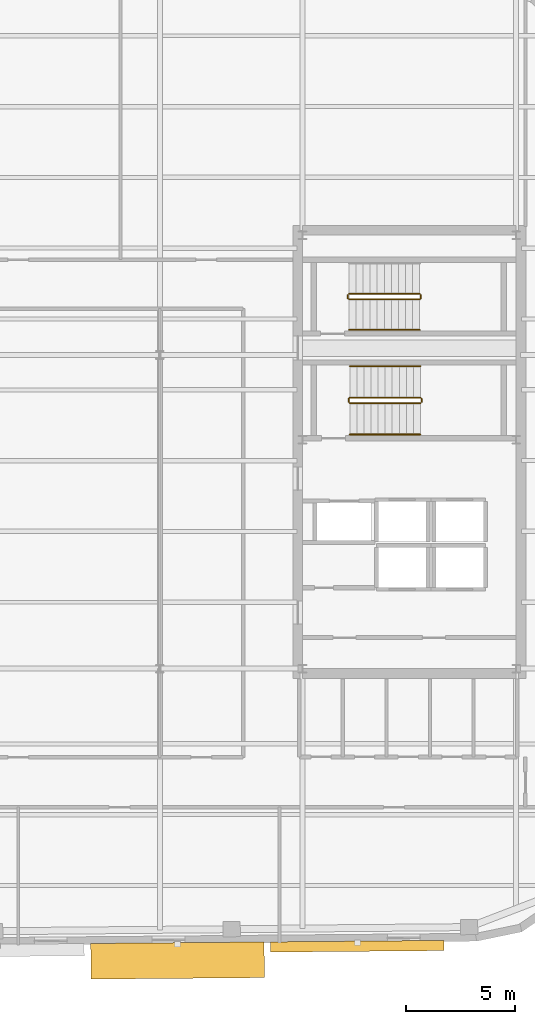
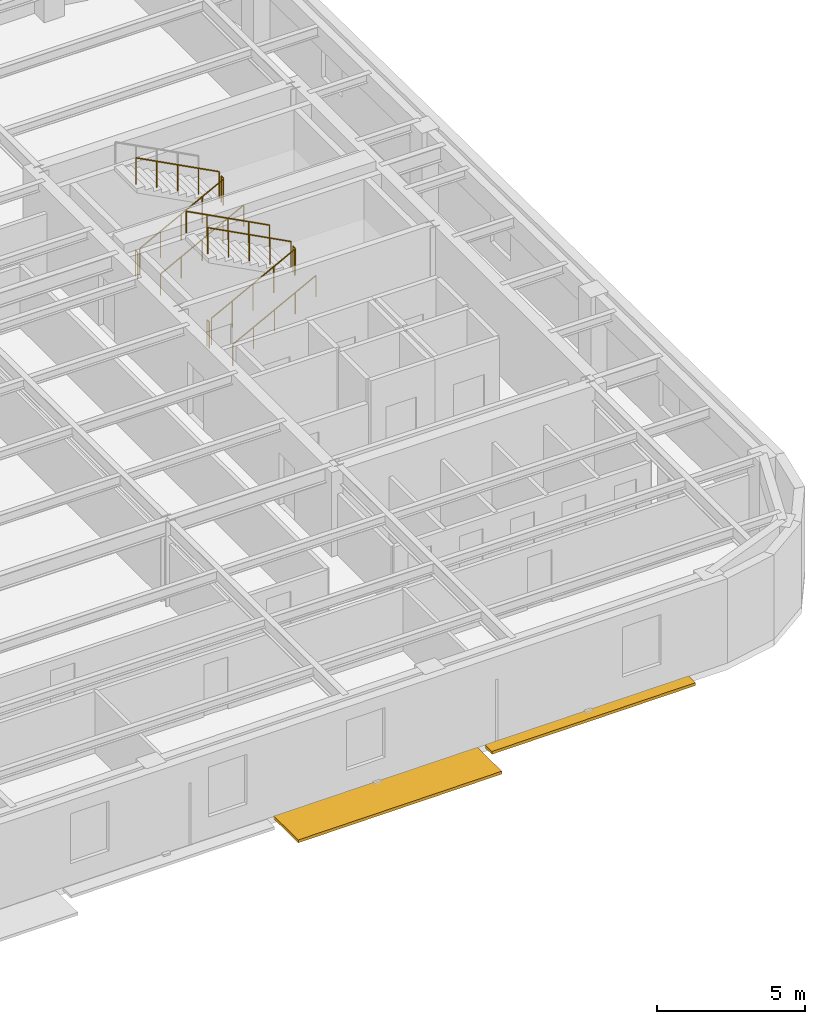
# One storey, part 12 of 13: 11 railings, 2 shading devices.
"""IFC4 building model written with IfcOpenShell, lengths in metres."""

from ifc_helpers import new_model, si_unit, direction, frame, origin, origin_2d, place, context, subcontext, project, spatial, rectangle, circle, extrude, material, type_object, element, save


model = new_model("IFC4")

# Units and contexts
model_context = context("Model", 3, precision=1e-05, world=origin(), true_north=direction((0.0, 1.0)))
body_context = subcontext(model_context, "Body", "Model", "MODEL_VIEW")
ifc_project = project(units=[si_unit("LENGTHUNIT", "METRE"), si_unit("AREAUNIT", "SQUARE_METRE"), si_unit("VOLUMEUNIT", "CUBIC_METRE"), si_unit("PLANEANGLEUNIT", "RADIAN"), si_unit("MASSUNIT", "GRAM", prefix="KILO")], contexts=[model_context])

# Site, building, storey
site_placement = place(None, origin())
site = spatial("IfcSite", under=ifc_project, at=site_placement, CompositionType="ELEMENT")
building_placement = place(site_placement, origin())
building = spatial("IfcBuilding", under=site, at=building_placement, Name="Kolvaren Arena Tower", CompositionType="ELEMENT")
storey_placement = place(building_placement, frame((0.0, 0.0, 278.64990234375)))
storey = spatial("IfcBuildingStorey", under=building, at=storey_placement, Name="L68", CompositionType="ELEMENT", Elevation=278.64990234375)

# Railings
ifc_material_1 = material(Name="Painted galvanized steel", Category="steel")
railing_type_1 = type_object("IfcRailingType", Name="GUARD-ST-110", PredefinedType="GUARDRAIL", material=ifc_material_1)
railing_1_placement = place(storey_placement, frame((52.719970703125, 31.639892578125, 0.170654296875)))
element("IfcRailing", 1, at=railing_1_placement, inside=storey, type_object=railing_type_1, Name="L68 ST-E1 stair guard 1", PredefinedType="GUARDRAIL", context=body_context, shape_type="SweptSolid", body=[
    extrude(circle(Radius=0.02392578125, at=origin_2d()), frame((0.0, 0.0, 1.076171875), z_axis=(0.885020909582, 0.0, 0.465551274945), x_axis=(0.0, 1.0, 0.0)), (0.0, 0.0, 1.0), 3.660888671875),
    extrude(circle(Radius=0.02099609375, at=origin_2d()), origin(), (0.0, 0.0, 1.0), 1.052001953125),
    extrude(circle(Radius=0.02099609375, at=origin_2d()), frame((0.81005859375, 0.0, 0.426025390625)), (0.0, 0.0, 1.0), 1.052001953125),
    extrude(circle(Radius=0.02099609375, at=origin_2d()), frame((1.6201171875, 0.0, 0.85205078125)), (0.0, 0.0, 1.0), 1.052001953125),
    extrude(circle(Radius=0.02099609375, at=origin_2d()), frame((2.429931640625, 0.0, 1.2783203125)), (0.0, 0.0, 1.0), 1.052001953125),
    extrude(circle(Radius=0.02099609375, at=origin_2d()), frame((3.239990234375, 0.0, 1.704345703125)), (0.0, 0.0, 1.0), 1.052001953125),
])
railing_2_placement = place(storey_placement, frame((56.010009765625, 31.68994140625, 1.875)))
element("IfcRailing", 2, at=railing_2_placement, inside=storey, type_object=railing_type_1, Name="L68 ST-E1 stair guard 2", PredefinedType="GUARDRAIL", context=body_context, shape_type="SweptSolid", body=[
    extrude(circle(Radius=0.02392578125, at=origin_2d()), frame((0.0, 0.0, 1.076171875), z_axis=(0.0, 1.0, 0.0), x_axis=(-1.0, 0.0, 0.0)), (0.0, 0.0, 1.0), 0.150146484375),
    extrude(circle(Radius=0.02099609375, at=origin_2d()), origin(), (0.0, 0.0, 1.0), 1.052001953125),
    extrude(circle(Radius=0.02099609375, at=origin_2d()), frame((0.0, 0.150146484375, 0.0)), (0.0, 0.0, 1.0), 1.052001953125),
])
railing_3_placement = place(storey_placement, frame((55.9599609375, 31.889892578125, 2.045654296875)))
element("IfcRailing", 3, at=railing_3_placement, inside=storey, type_object=railing_type_1, Name="L68 ST-E1 stair guard 3", PredefinedType="GUARDRAIL", context=body_context, shape_type="SweptSolid", body=[
    extrude(circle(Radius=0.02392578125, at=origin_2d()), frame((0.0, 0.0, 1.076171875), z_axis=(-0.885020909582, 0.0, 0.465551274945), x_axis=(0.0, -1.0, 0.0)), (0.0, 0.0, 1.0), 3.660888671875),
    extrude(circle(Radius=0.02099609375, at=origin_2d()), origin(), (0.0, 0.0, 1.0), 1.052001953125),
    extrude(circle(Radius=0.02099609375, at=origin_2d()), frame((-0.81005859375, 0.0, 0.426025390625)), (0.0, 0.0, 1.0), 1.052001953125),
    extrude(circle(Radius=0.02099609375, at=origin_2d()), frame((-1.6201171875, 0.0, 0.85205078125)), (0.0, 0.0, 1.0), 1.052001953125),
    extrude(circle(Radius=0.02099609375, at=origin_2d()), frame((-2.429931640625, 0.0, 1.2783203125)), (0.0, 0.0, 1.0), 1.052001953125),
    extrude(circle(Radius=0.02099609375, at=origin_2d()), frame((-3.239990234375, 0.0, 1.704345703125)), (0.0, 0.0, 1.0), 1.052001953125),
])
railing_4_placement = place(storey_placement, frame((52.669921875, 31.68994140625, 0.0)))
element("IfcRailing", 4, at=railing_4_placement, inside=storey, type_object=railing_type_1, Name="L68 ST-E1 stair guard 4", PredefinedType="GUARDRAIL", context=body_context, shape_type="SweptSolid", body=[
    extrude(circle(Radius=0.02392578125, at=origin_2d()), frame((0.0, 0.0, 1.076171875), z_axis=(0.0, 1.0, 0.0), x_axis=(-1.0, 0.0, 0.0)), (0.0, 0.0, 1.0), 0.150146484375),
    extrude(circle(Radius=0.02099609375, at=origin_2d()), origin(), (0.0, 0.0, 1.0), 1.052001953125),
    extrude(circle(Radius=0.02099609375, at=origin_2d()), frame((0.0, 0.150146484375, 0.0)), (0.0, 0.0, 1.0), 1.052001953125),
])
railing_5_placement = place(storey_placement, frame((52.679931640625, 36.39990234375, 0.170654296875)))
element("IfcRailing", 5, at=railing_5_placement, inside=storey, type_object=railing_type_1, Name="L68 ST-E2 stair guard 1", PredefinedType="GUARDRAIL", context=body_context, shape_type="SweptSolid", body=[
    extrude(circle(Radius=0.02392578125, at=origin_2d()), frame((0.0, 0.0, 1.076171875), z_axis=(0.885020909582, 0.0, 0.465551274945), x_axis=(0.0, 1.0, 0.0)), (0.0, 0.0, 1.0), 3.660888671875),
    extrude(circle(Radius=0.02099609375, at=origin_2d()), origin(), (0.0, 0.0, 1.0), 1.052001953125),
    extrude(circle(Radius=0.02099609375, at=origin_2d()), frame((0.81005859375, 0.0, 0.426025390625)), (0.0, 0.0, 1.0), 1.052001953125),
    extrude(circle(Radius=0.02099609375, at=origin_2d()), frame((1.6201171875, 0.0, 0.85205078125)), (0.0, 0.0, 1.0), 1.052001953125),
    extrude(circle(Radius=0.02099609375, at=origin_2d()), frame((2.429931640625, 0.0, 1.2783203125)), (0.0, 0.0, 1.0), 1.052001953125),
    extrude(circle(Radius=0.02099609375, at=origin_2d()), frame((3.239990234375, 0.0, 1.704345703125)), (0.0, 0.0, 1.0), 1.052001953125),
])
railing_6_placement = place(storey_placement, frame((55.969970703125, 36.449951171875, 1.875)))
element("IfcRailing", 6, at=railing_6_placement, inside=storey, type_object=railing_type_1, Name="L68 ST-E2 stair guard 2", PredefinedType="GUARDRAIL", context=body_context, shape_type="SweptSolid", body=[
    extrude(circle(Radius=0.02392578125, at=origin_2d()), frame((0.0, 0.0, 1.076171875), z_axis=(0.0, 1.0, 0.0), x_axis=(-1.0, 0.0, 0.0)), (0.0, 0.0, 1.0), 0.150146484375),
    extrude(circle(Radius=0.02099609375, at=origin_2d()), origin(), (0.0, 0.0, 1.0), 1.052001953125),
    extrude(circle(Radius=0.02099609375, at=origin_2d()), frame((0.0, 0.150146484375, 0.0)), (0.0, 0.0, 1.0), 1.052001953125),
])
railing_7_placement = place(storey_placement, frame((55.919921875, 36.64990234375, 2.045654296875)))
element("IfcRailing", 7, at=railing_7_placement, inside=storey, type_object=railing_type_1, Name="L68 ST-E2 stair guard 3", PredefinedType="GUARDRAIL", context=body_context, shape_type="SweptSolid", body=[
    extrude(circle(Radius=0.02392578125, at=origin_2d()), frame((0.0, 0.0, 1.076171875), z_axis=(-0.885020909582, 0.0, 0.465551274945), x_axis=(0.0, -1.0, 0.0)), (0.0, 0.0, 1.0), 3.660888671875),
    extrude(circle(Radius=0.02099609375, at=origin_2d()), origin(), (0.0, 0.0, 1.0), 1.052001953125),
    extrude(circle(Radius=0.02099609375, at=origin_2d()), frame((-0.81005859375, 0.0, 0.426025390625)), (0.0, 0.0, 1.0), 1.052001953125),
    extrude(circle(Radius=0.02099609375, at=origin_2d()), frame((-1.6201171875, 0.0, 0.85205078125)), (0.0, 0.0, 1.0), 1.052001953125),
    extrude(circle(Radius=0.02099609375, at=origin_2d()), frame((-2.429931640625, 0.0, 1.2783203125)), (0.0, 0.0, 1.0), 1.052001953125),
    extrude(circle(Radius=0.02099609375, at=origin_2d()), frame((-3.239990234375, 0.0, 1.704345703125)), (0.0, 0.0, 1.0), 1.052001953125),
])
railing_8_placement = place(storey_placement, frame((52.6298828125, 36.449951171875, 0.0)))
element("IfcRailing", 8, at=railing_8_placement, inside=storey, type_object=railing_type_1, Name="L68 ST-E2 stair guard 4", PredefinedType="GUARDRAIL", context=body_context, shape_type="SweptSolid", body=[
    extrude(circle(Radius=0.02392578125, at=origin_2d()), frame((0.0, 0.0, 1.076171875), z_axis=(0.0, 1.0, 0.0), x_axis=(-1.0, 0.0, 0.0)), (0.0, 0.0, 1.0), 0.150146484375),
    extrude(circle(Radius=0.02099609375, at=origin_2d()), origin(), (0.0, 0.0, 1.0), 1.052001953125),
    extrude(circle(Radius=0.02099609375, at=origin_2d()), frame((0.0, 0.150146484375, 0.0)), (0.0, 0.0, 1.0), 1.052001953125),
])
ifc_material_2 = material(Name="Brushed stainless steel handrail", Category="steel")
railing_type_2 = type_object("IfcRailingType", Name="HRAIL-900", PredefinedType="HANDRAIL", material=ifc_material_2)
railing_9_placement = place(storey_placement, frame((52.719970703125, 30.199951171875, 0.170654296875)))
element("IfcRailing", 9, at=railing_9_placement, inside=storey, type_object=railing_type_2, Name="L68 ST-E1 stair handrail 1", PredefinedType="HANDRAIL", context=body_context, shape_type="SweptSolid", body=[
    extrude(circle(Radius=0.02392578125, at=origin_2d()), frame((0.0, 0.0, 0.8759765625), z_axis=(0.885020909582, 0.0, 0.465551274945), x_axis=(0.0, 1.0, 0.0)), (0.0, 0.0, 1.0), 3.660888671875),
    extrude(circle(Radius=0.02099609375, at=origin_2d()), origin(), (0.0, 0.0, 1.0), 0.851806640625),
    extrude(circle(Radius=0.02099609375, at=origin_2d()), frame((0.81005859375, 0.0, 0.426025390625)), (0.0, 0.0, 1.0), 0.851806640625),
    extrude(circle(Radius=0.02099609375, at=origin_2d()), frame((1.6201171875, 0.0, 0.85205078125)), (0.0, 0.0, 1.0), 0.851806640625),
    extrude(circle(Radius=0.02099609375, at=origin_2d()), frame((2.429931640625, 0.0, 1.2783203125)), (0.0, 0.0, 1.0), 0.851806640625),
    extrude(circle(Radius=0.02099609375, at=origin_2d()), frame((3.239990234375, 0.0, 1.704345703125)), (0.0, 0.0, 1.0), 0.851806640625),
])
railing_10_placement = place(storey_placement, frame((55.9599609375, 33.330078125, 2.045654296875)))
element("IfcRailing", 10, at=railing_10_placement, inside=storey, type_object=railing_type_2, Name="L68 ST-E1 stair handrail 2", PredefinedType="HANDRAIL", context=body_context, shape_type="SweptSolid", body=[
    extrude(circle(Radius=0.02392578125, at=origin_2d()), frame((0.0, 0.0, 0.8759765625), z_axis=(-0.885020909582, 0.0, 0.465551274945), x_axis=(0.0, -1.0, 0.0)), (0.0, 0.0, 1.0), 3.660888671875),
    extrude(circle(Radius=0.02099609375, at=origin_2d()), origin(), (0.0, 0.0, 1.0), 0.851806640625),
    extrude(circle(Radius=0.02099609375, at=origin_2d()), frame((-0.81005859375, 0.0, 0.426025390625)), (0.0, 0.0, 1.0), 0.851806640625),
    extrude(circle(Radius=0.02099609375, at=origin_2d()), frame((-1.6201171875, 0.0, 0.85205078125)), (0.0, 0.0, 1.0), 0.851806640625),
    extrude(circle(Radius=0.02099609375, at=origin_2d()), frame((-2.429931640625, 0.0, 1.2783203125)), (0.0, 0.0, 1.0), 0.851806640625),
    extrude(circle(Radius=0.02099609375, at=origin_2d()), frame((-3.239990234375, 0.0, 1.704345703125)), (0.0, 0.0, 1.0), 0.851806640625),
])
railing_11_placement = place(storey_placement, frame((52.679931640625, 35.0, 0.170654296875)))
element("IfcRailing", 11, at=railing_11_placement, inside=storey, type_object=railing_type_2, Name="L68 ST-E2 stair handrail 1", PredefinedType="HANDRAIL", context=body_context, shape_type="SweptSolid", body=[
    extrude(circle(Radius=0.02392578125, at=origin_2d()), frame((0.0, 0.0, 0.8759765625), z_axis=(0.885020909582, 0.0, 0.465551274945), x_axis=(0.0, 1.0, 0.0)), (0.0, 0.0, 1.0), 3.660888671875),
    extrude(circle(Radius=0.02099609375, at=origin_2d()), origin(), (0.0, 0.0, 1.0), 0.851806640625),
    extrude(circle(Radius=0.02099609375, at=origin_2d()), frame((0.81005859375, 0.0, 0.426025390625)), (0.0, 0.0, 1.0), 0.851806640625),
    extrude(circle(Radius=0.02099609375, at=origin_2d()), frame((1.6201171875, 0.0, 0.85205078125)), (0.0, 0.0, 1.0), 0.851806640625),
    extrude(circle(Radius=0.02099609375, at=origin_2d()), frame((2.429931640625, 0.0, 1.2783203125)), (0.0, 0.0, 1.0), 0.851806640625),
    extrude(circle(Radius=0.02099609375, at=origin_2d()), frame((3.239990234375, 0.0, 1.704345703125)), (0.0, 0.0, 1.0), 0.851806640625),
])

# Shading devices
ifc_material_3 = material(Name="Architectural precast GFRC and anodised aluminium sunshade", Category="concrete")
shading_device_type_1 = type_object("IfcShadingDeviceType", Name="SHAD-SINE-A", PredefinedType="USERDEFINED", material=ifc_material_3)
shading_device_1_placement = place(storey_placement, frame((53.067626953125, 6.7119140625, -0.139892578125), z_axis=(0.0, 0.0, 1.0), x_axis=(-0.999961923064, -0.008726535498, 0.0)))
element("IfcShadingDevice", 12, at=shading_device_1_placement, inside=storey, type_object=shading_device_type_1, Name="Sinusoidal Slab-Edge Sunshade Louvre (L68)", ObjectType="LOUVRE", PredefinedType="USERDEFINED", context=body_context, shape_type="SweptSolid", body=[
    extrude(rectangle(XDim=7.9599609375, YDim=0.468994140625, at=origin_2d()), origin(), (0.0, 0.0, 1.0), 0.1201171875),
])
shading_device_type_2 = type_object("IfcShadingDeviceType", Name="SHAD-SINE-B", PredefinedType="JALOUSIE", material=ifc_material_3)
shading_device_2_placement = place(storey_placement, frame((44.81298828125, 6.0556640625, -0.139892578125), z_axis=(0.0, 0.0, 1.0), x_axis=(-0.999961923064, -0.008726535498, 0.0)))
element("IfcShadingDevice", 13, at=shading_device_2_placement, inside=storey, type_object=shading_device_type_2, Name="Sinusoidal Slab-Edge Sunshade Louvre (L68)", PredefinedType="JALOUSIE", context=body_context, shape_type="SweptSolid", body=[
    extrude(rectangle(XDim=7.9599609375, YDim=1.63720703125, at=origin_2d()), origin(), (0.0, 0.0, 1.0), 0.1201171875),
])

save(model, "model.ifc")
